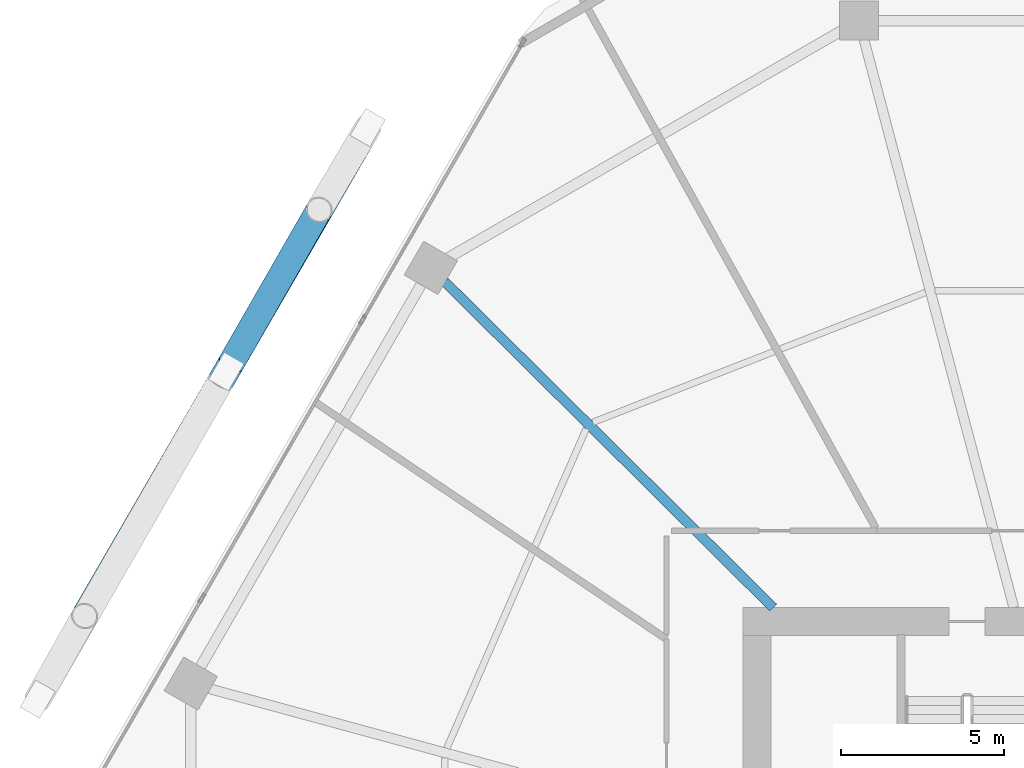
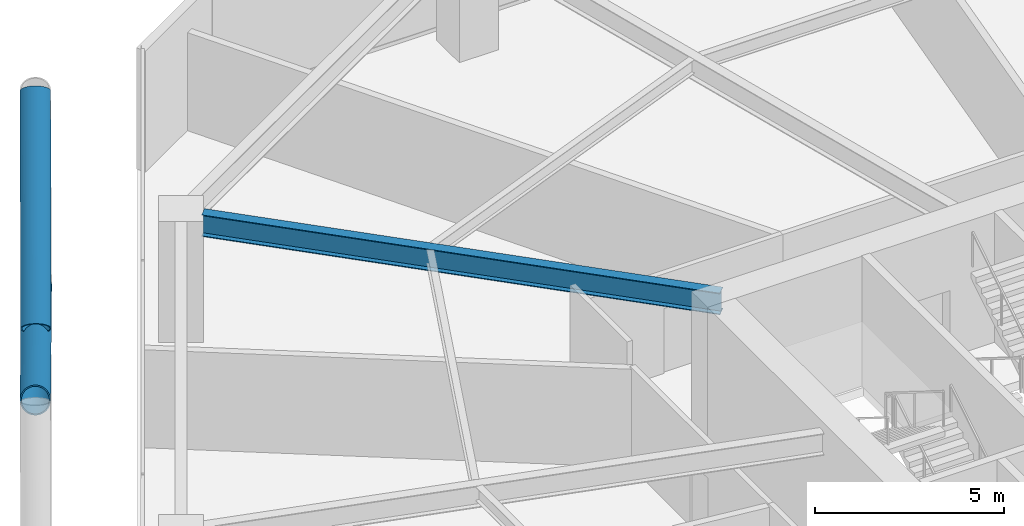
# One storey, part 15 of 28: 2 members, 1 beam.
"""IFC4 building model written with IfcOpenShell, lengths in metres."""

from ifc_helpers import new_model, si_unit, direction, frame, origin, origin_2d, place, context, subcontext, project, spatial, hollow_circle, i_section, extrude, material, material_profile, profile_set, type_object, element, save


model = new_model("IFC4")

# Units and contexts
model_context = context("Model", 3, precision=1e-05, world=origin(), true_north=direction((0.0, 1.0)))
body_context = subcontext(model_context, "Body", "Model", "MODEL_VIEW")
ifc_project = project(units=[si_unit("LENGTHUNIT", "METRE"), si_unit("AREAUNIT", "SQUARE_METRE"), si_unit("VOLUMEUNIT", "CUBIC_METRE"), si_unit("PLANEANGLEUNIT", "RADIAN"), si_unit("MASSUNIT", "GRAM", prefix="KILO")], contexts=[model_context])

# Site, building, storey
site_placement = place(None, origin())
site = spatial("IfcSite", under=ifc_project, at=site_placement, CompositionType="ELEMENT")
building_placement = place(site_placement, origin())
building = spatial("IfcBuilding", under=site, at=building_placement, Name="Zuhravey Tower", CompositionType="ELEMENT")
storey_placement = place(building_placement, frame((0.0, 0.0, 24.60009765625)))
storey = spatial("IfcBuildingStorey", under=building, at=storey_placement, Name="L06", CompositionType="ELEMENT", Elevation=24.60009765625)

# Members
ifc_material_1 = material(Name="Steel SM460", Category="steel")
ifc_material_profile_1 = material_profile(ifc_material_1, hollow_circle(Radius=0.406494140625, WallThickness=0.035888671875, at=origin_2d()), Name="CHS-812.8x36")
ifc_profile_set_1 = profile_set([ifc_material_profile_1], Name="Steel SM460")
member_type = type_object("IfcMemberType", Name="Exoskeleton Zone 1 Diagrid CHS813x36", PredefinedType="BRACE", material=ifc_profile_set_1)
member_1_placement = place(storey_placement, frame((13.524658203125, 56.628662109375, -0.47216796875), z_axis=(-0.451282003886, -0.778532501156, 0.436155588767), x_axis=(0.865159859192, -0.50149617949, 0.0)))
element("IfcMember", 1, at=member_1_placement, inside=storey, type_object=member_type, Name="L06 Face 3 Diagrid Brace 2", PredefinedType="BRACE", context=body_context, shape_type="SweptSolid", body=[
    extrude(hollow_circle(Radius=0.406494140625, WallThickness=0.035888671875, at=origin_2d()), origin(), (0.0, 0.0, 1.0), 19.158203125),
])
member_2_placement = place(storey_placement, frame((9.36083984375, 49.4482421875, 3.9404296875), z_axis=(0.401254557623, 0.699222404201, 0.59167796093), x_axis=(-0.867333903801, 0.497726731567, 0.0)))
element("IfcMember", 2, at=member_2_placement, inside=storey, type_object=member_type, Name="L06 Face 3 Split Diagrid Brace 3B", PredefinedType="BRACE", context=body_context, shape_type="SweptSolid", body=[
    extrude(hollow_circle(Radius=0.406494140625, WallThickness=0.035888671875, at=origin_2d()), origin(), (0.0, 0.0, 1.0), 6.651611328125),
])

# Beam
ifc_material_2 = material(Name="Steel SM355", Category="steel")
ifc_material_profile_2 = material_profile(ifc_material_2, i_section(OverallWidth=0.300048828125, OverallDepth=0.699951171875, WebThickness=0.012939453125, FlangeThickness=0.02392578125, at=origin_2d()), Name="H-700x300x13x24")
ifc_profile_set_2 = profile_set([ifc_material_profile_2], Name="Steel SM355")
beam_type = type_object("IfcBeamType", Name="Radial Primary Girder H700x300", PredefinedType="BEAM", material=ifc_profile_set_2)
beam_placement = place(storey_placement, frame((25.992919921875, 41.927978515625, 3.56982421875), z_axis=(-0.709902823282, 0.704299639, 0.0), x_axis=(-0.704299639, -0.709902823282, 0.0)))
element("IfcBeam", 3, at=beam_placement, inside=storey, type_object=beam_type, Name="L06 RG1 BM-L06-RAD-05", PredefinedType="BEAM", context=body_context, shape_type="SweptSolid", body=[
    extrude(i_section(OverallWidth=0.300048828125, OverallDepth=0.699951171875, WebThickness=0.012939453125, FlangeThickness=0.02392578125, at=origin_2d()), origin(), (0.0, 0.0, 1.0), 14.204345703125),
])

save(model, "model.ifc")
